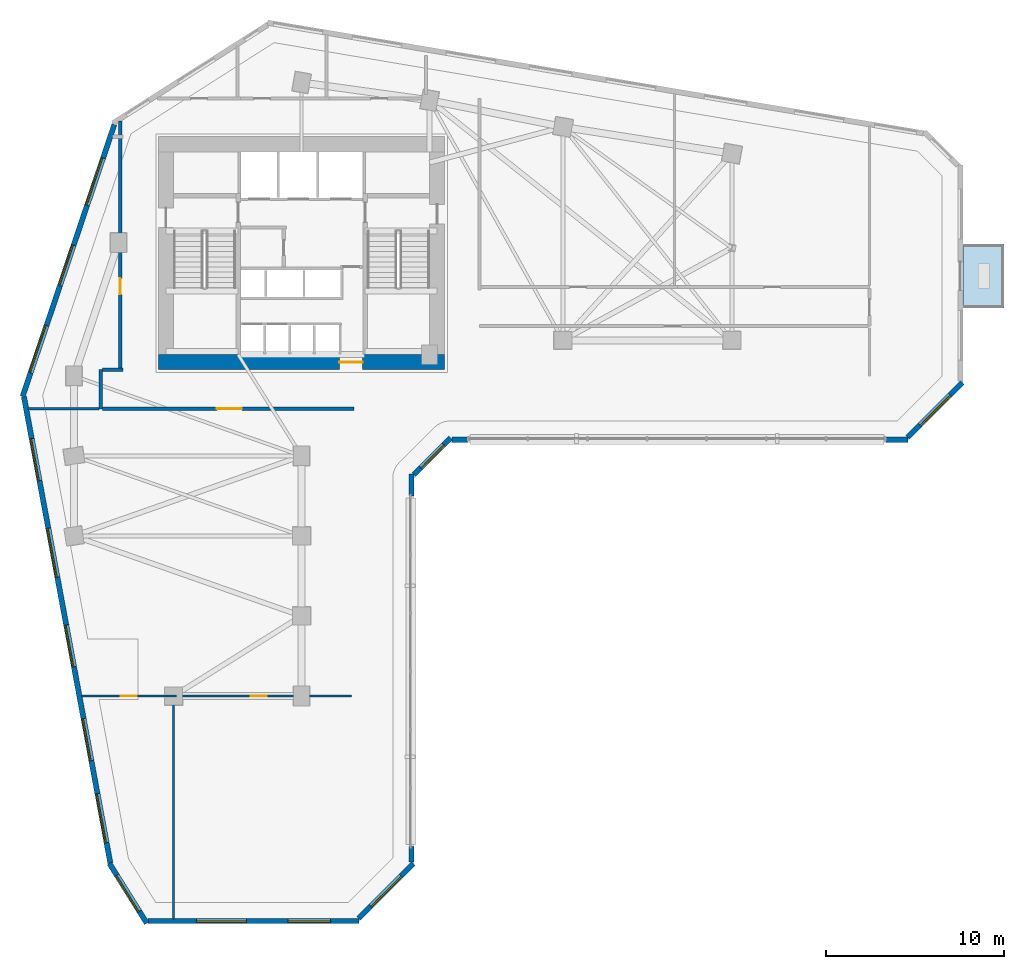
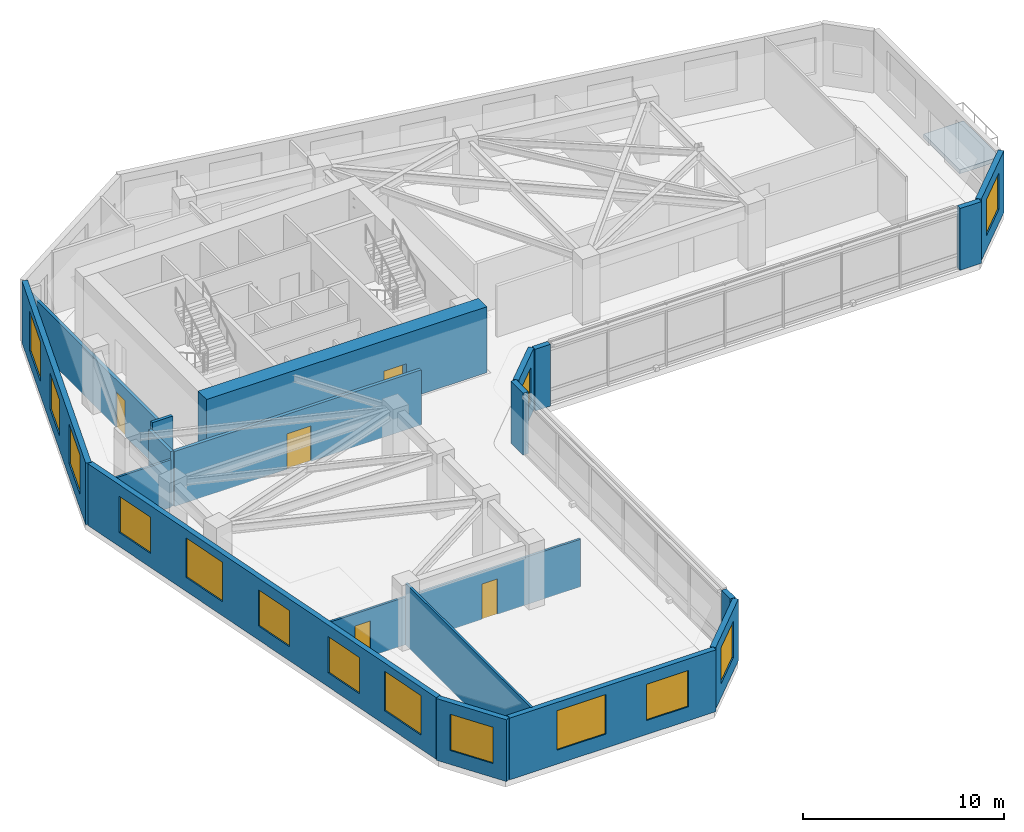
# One storey, part 5 of 11: 20 walls, 14 windows, 5 doors, 1 slab, 19 openings.
"""IFC4 building model written with IfcOpenShell, lengths in metres."""

from ifc_helpers import new_model, si_unit, direction, frame, frame_2d, origin, place, context, subcontext, project, spatial, polyline, rectangle, outline, extrude, source, transform, mapped, material, layer, layer_set, type_object, element, fill, save


model = new_model("IFC4")

# Units and contexts
model_context = context("Model", 3, precision=1e-05, world=origin(), true_north=direction((0.0, 1.0)))
body_context = subcontext(model_context, "Body", "Model", "MODEL_VIEW")
ifc_project = project(units=[si_unit("LENGTHUNIT", "METRE"), si_unit("AREAUNIT", "SQUARE_METRE"), si_unit("VOLUMEUNIT", "CUBIC_METRE"), si_unit("PLANEANGLEUNIT", "RADIAN"), si_unit("MASSUNIT", "GRAM", prefix="KILO")], contexts=[model_context])

# Site, building, storey
site_placement = place(None, origin())
site = spatial("IfcSite", under=ifc_project, at=site_placement, CompositionType="ELEMENT")
building_placement = place(site_placement, origin())
building = spatial("IfcBuilding", under=site, at=building_placement, Name="Calvemar Wedge Station Tower", CompositionType="ELEMENT")
storey_placement = place(building_placement, frame((0.0, 0.0, 27.0)))
storey = spatial("IfcBuildingStorey", under=building, at=storey_placement, Name="L06", CompositionType="ELEMENT", Elevation=27.0)

# Slab
ifc_material_1 = material(Name="Concrete C45", Category="concrete")
ifc_layer_1 = layer(ifc_material_1, 0.239990234375)
ifc_layer_set_1 = layer_set([ifc_layer_1], Name="Concrete C45")
slab_type = type_object("IfcSlabType", Name="SL-TERR-240", PredefinedType="FLOOR", material=ifc_layer_set_1)
slab_placement = place(storey_placement, frame((0.0, 0.0, -0.239990234375)))
element("IfcSlab", 1, at=slab_placement, inside=storey, type_object=slab_type, Name="Storey L06 Planted Spiral Terrace Slab", PredefinedType="FLOOR", context=body_context, shape_type="SweptSolid", body=[
    extrude(outline(polyline([(61.0, 36.81005859375), (63.300048828125, 36.81005859375), (63.300048828125, 40.409912109375), (61.0, 40.409912109375), (61.0, 36.81005859375)])), origin(), (0.0, 0.0, 1.0), 0.239990234375),
])

# Wall, opening, door
ifc_material_2 = material(Name="Concrete C80", Category="concrete")
ifc_layer_2 = layer(ifc_material_2, 0.85009765625)
ifc_layer_set_2 = layer_set([ifc_layer_2], Name="Concrete C80")
wall_type_1 = type_object("IfcWallType", Name="SW-CORE-850", PredefinedType="SHEAR", material=ifc_layer_set_2)
wall_1_placement = place(storey_placement, frame((15.75, 33.77490234375, 0.0), z_axis=(0.0, 0.0, 1.0), x_axis=(1.0, 0.0, 0.0)))
wall_1 = element("IfcWall", 2, at=wall_1_placement, inside=storey, type_object=wall_type_1, Name="Storey L06 Core Shear Wall S", PredefinedType="SHEAR", context=body_context, shape_type="SweptSolid", body=[
    extrude(rectangle(XDim=16.10009765625, YDim=0.85009765625, at=frame_2d((8.050048828125, 0.0))), origin(), (0.0, 0.0, 1.0), 4.0),
])
shared_shape_1 = source(origin(), body_context, "Body", "SweptSolid", [
    extrude(rectangle(XDim=1.300048828125, YDim=2.14990234375, at=frame_2d((0.64990234375, 1.074951171875))), frame((0.0, 0.43505859375, 0.0), z_axis=(0.0, -1.0, 0.0), x_axis=(1.0, 0.0, 0.0)), (0.0, 0.0, 1.0), 0.8701171875),
])
opening_1_placement = place(wall_1_placement, frame((10.179931640625, 0.0, 0.0)))
opening_1 = element("IfcOpeningElement", 3, at=opening_1_placement, cuts=wall_1, Name="Opening DD-130", PredefinedType="OPENING", context=body_context, shape_type="MappedRepresentation", body=[
    mapped(shared_shape_1, transform((0.0, 0.0, 0.0), scale=1.0)),
])
ifc_material_3 = material(Name="Double-leaf lift lobby fire door EI 60")
door_type_1 = type_object("IfcDoorType", Name="DR-DBL-1300", OperationType="DOUBLE_DOOR_SINGLE_SWING", PredefinedType="DOOR", material=ifc_material_3)
shared_shape_2 = source(origin(), body_context, "Body", "SweptSolid", [
    extrude(rectangle(XDim=1.300048828125, YDim=2.14990234375, at=frame_2d((0.64990234375, 1.074951171875))), frame((0.0, 0.02490234375, 0.0), z_axis=(0.0, -1.0, 0.0), x_axis=(1.0, 0.0, 0.0)), (0.0, 0.0, 1.0), 0.050048828125),
])
door_1_placement = place(opening_1_placement, origin())
door_1 = element("IfcDoor", 4, at=door_1_placement, inside=storey, type_object=door_type_1, Name="L06 Passenger Lift Lobby Door", OperationType="DOUBLE_DOOR_SINGLE_SWING", OverallHeight=2.14990234375, OverallWidth=1.300048828125, PredefinedType="DOOR", context=body_context, shape_type="MappedRepresentation", body=[
    mapped(shared_shape_2, transform((0.0, 0.0, 0.0), scale=1.0)),
])
fill(opening_1, door_1)

# Walls
ifc_material_4 = material(Name="Double-stud fire-rated corridor partition")
ifc_layer_3 = layer(ifc_material_4, 0.179931640625)
ifc_layer_set_3 = layer_set([ifc_layer_3], Name="Double-stud fire-rated corridor partition")
wall_type_2 = type_object("IfcWallType", Name="W-CORR-180", PredefinedType="PARTITIONING", material=ifc_layer_set_3)
wall_2_placement = place(storey_placement, frame((12.5, 31.14990234375, 0.0), z_axis=(0.0, 0.0, 1.0), x_axis=(0.0, 1.0, 0.0)))
element("IfcWall", 5, at=wall_2_placement, inside=storey, type_object=wall_type_2, Name="Storey L06 Interior Partition WL-L06-004", PredefinedType="PARTITIONING", context=body_context, shape_type="SweptSolid", body=[
    extrude(rectangle(XDim=2.2001953125, YDim=0.179931640625, at=frame_2d((1.10009765625, 0.0))), origin(), (0.0, 0.0, 1.0), 3.3349609375),
])
wall_3_placement = place(storey_placement, frame((12.593994140625, 33.35009765625, 0.0), z_axis=(0.0, 0.0, 1.0), x_axis=(1.0, 0.0, 0.0)))
element("IfcWall", 6, at=wall_3_placement, inside=storey, type_object=wall_type_2, Name="Storey L06 Interior Partition WL-L06-005", PredefinedType="PARTITIONING", context=body_context, shape_type="SweptSolid", body=[
    extrude(rectangle(XDim=1.166015625, YDim=0.179931640625, at=frame_2d((0.5830078125, 0.0))), origin(), (0.0, 0.0, 1.0), 3.75),
])

# Wall, opening, door
wall_4_placement = place(storey_placement, frame((26.760009765625, 31.14990234375, 0.0), z_axis=(0.0, 0.0, 1.0), x_axis=(-1.0, 0.0, 0.0)))
wall_4 = element("IfcWall", 7, at=wall_4_placement, inside=storey, type_object=wall_type_2, Name="Storey L06 Interior Partition WL-L06-006", PredefinedType="PARTITIONING", context=body_context, shape_type="SweptSolid", body=[
    extrude(rectangle(XDim=14.166015625, YDim=0.179931640625, at=frame_2d((7.0830078125, 0.0))), origin(), (0.0, 0.0, 1.0), 3.3349609375),
])
shared_shape_3 = source(origin(), body_context, "Body", "SweptSolid", [
    extrude(rectangle(XDim=1.39990234375, YDim=2.14990234375, at=frame_2d((0.699951171875, 1.074951171875))), frame((0.0, 0.10009765625, 0.0), z_axis=(0.0, -1.0, 0.0), x_axis=(1.0, 0.0, 0.0)), (0.0, 0.0, 1.0), 0.199951171875),
])
opening_2_placement = place(wall_4_placement, frame((6.322509765625, 0.0, 0.0)))
opening_2 = element("IfcOpeningElement", 8, at=opening_2_placement, cuts=wall_4, Name="Opening DD-140", PredefinedType="OPENING", context=body_context, shape_type="MappedRepresentation", body=[
    mapped(shared_shape_3, transform((0.0, 0.0, 0.0), scale=1.0)),
])
ifc_material_5 = material(Name="Double-leaf corridor acoustic fire door EI 60")
door_type_2 = type_object("IfcDoorType", Name="DR-DBL-1400", OperationType="DOUBLE_DOOR_SINGLE_SWING", PredefinedType="DOOR", material=ifc_material_5)
shared_shape_4 = source(origin(), body_context, "Body", "SweptSolid", [
    extrude(rectangle(XDim=1.39990234375, YDim=2.14990234375, at=frame_2d((0.699951171875, 1.074951171875))), frame((0.0, 0.02490234375, 0.0), z_axis=(0.0, -1.0, 0.0), x_axis=(1.0, 0.0, 0.0)), (0.0, 0.0, 1.0), 0.050048828125),
])
door_2_placement = place(opening_2_placement, origin())
door_2 = element("IfcDoor", 9, at=door_2_placement, inside=storey, type_object=door_type_2, Name="L06 Co-Working Studio Door", OperationType="SINGLE_SWING_LEFT", OverallHeight=2.14990234375, OverallWidth=1.39990234375, PredefinedType="DOOR", context=body_context, shape_type="MappedRepresentation", body=[
    mapped(shared_shape_4, transform((0.0, 0.0, 0.0), scale=1.0)),
])
fill(opening_2, door_2)

wall_5_placement = place(storey_placement, frame((13.60009765625, 33.444091796875, 0.0), z_axis=(0.0, 0.0, 1.0), x_axis=(0.0, 1.0, 0.0)))
wall_5 = element("IfcWall", 10, at=wall_5_placement, inside=storey, type_object=wall_type_2, Name="Storey L06 Interior Partition WL-L06-007", PredefinedType="PARTITIONING", context=body_context, shape_type="SweptSolid", body=[
    extrude(rectangle(XDim=13.896240234375, YDim=0.179931640625, at=frame_2d((6.9482421875, 0.0))), origin(), (0.0, 0.0, 1.0), 2.89208984375),
])
shared_shape_5 = source(origin(), body_context, "Body", "SweptSolid", [
    extrude(rectangle(XDim=0.89990234375, YDim=2.14990234375, at=frame_2d((0.449951171875, 1.074951171875))), frame((0.0, 0.10009765625, 0.0), z_axis=(0.0, -1.0, 0.0), x_axis=(1.0, 0.0, 0.0)), (0.0, 0.0, 1.0), 0.199951171875),
])
opening_3_placement = place(wall_5_placement, frame((4.143798828125, 0.0, 0.0)))
opening_3 = element("IfcOpeningElement", 11, at=opening_3_placement, cuts=wall_5, Name="Opening D-01", PredefinedType="OPENING", context=body_context, shape_type="MappedRepresentation", body=[
    mapped(shared_shape_5, transform((0.0, 0.0, 0.0), scale=1.0)),
])
ifc_material_6 = material(Name="Architectural hardwood acoustic swing door", Category="wood")
door_type_3 = type_object("IfcDoorType", Name="DR-INT-900", OperationType="NOTDEFINED", PredefinedType="DOOR", material=ifc_material_6)
shared_shape_6 = source(origin(), body_context, "Body", "SweptSolid", [
    extrude(rectangle(XDim=0.89990234375, YDim=2.14990234375, at=frame_2d((0.449951171875, 1.074951171875))), frame((0.0, 0.02490234375, 0.0), z_axis=(0.0, -1.0, 0.0), x_axis=(1.0, 0.0, 0.0)), (0.0, 0.0, 1.0), 0.050048828125),
])
door_3_placement = place(opening_3_placement, origin())
door_3 = element("IfcDoor", 12, at=door_3_placement, inside=storey, type_object=door_type_3, Name="L06 Co-Working Studio Door", OperationType="SINGLE_SWING_LEFT", OverallHeight=2.14990234375, OverallWidth=0.89990234375, PredefinedType="DOOR", context=body_context, shape_type="MappedRepresentation", body=[
    mapped(shared_shape_6, transform((0.0, 0.0, 0.0), scale=1.0)),
])
fill(opening_3, door_3)

# Wall, opening, window
ifc_material_7 = material(Name="Precast concrete C45", Category="concrete")
ifc_layer_4 = layer(ifc_material_7, 0.300048828125)
ifc_layer_set_4 = layer_set([ifc_layer_4], Name="Precast concrete C45")
wall_type_3 = type_object("IfcWallType", Name="W-EXT-GFRC-300", PredefinedType="SOLIDWALL", material=ifc_layer_set_4)
wall_6_placement = place(storey_placement, frame((12.99072265625, 5.58251953125, 0.0), z_axis=(0.0, 0.0, 1.0), x_axis=(0.530015557218, -0.847987918019, 0.0)))
wall_6 = element("IfcWall", 13, at=wall_6_placement, inside=storey, type_object=wall_type_3, Name="Storey L06 Bronze GFRC Exterior Wall 1", PredefinedType="SOLIDWALL", context=body_context, shape_type="SweptSolid", body=[
    extrude(rectangle(XDim=3.9619140625, YDim=0.300048828125, at=frame_2d((1.98095703125, 0.0))), origin(), (0.0, 0.0, 1.0), 3.75),
])
shared_shape_7 = source(origin(), body_context, "Body", "SweptSolid", [
    extrude(rectangle(XDim=2.39990234375, YDim=2.199951171875, at=frame_2d((1.199951171875, 1.10009765625))), frame((0.0, 0.16015625, 0.0), z_axis=(0.0, -1.0, 0.0), x_axis=(1.0, 0.0, 0.0)), (0.0, 0.0, 1.0), 0.320068359375),
])
opening_4_placement = place(wall_6_placement, frame((0.781005859375, 0.0, 0.85009765625)))
opening_4 = element("IfcOpeningElement", 14, at=opening_4_placement, cuts=wall_6, Name="Opening W1", PredefinedType="OPENING", context=body_context, shape_type="MappedRepresentation", body=[
    mapped(shared_shape_7, transform((0.0, 0.0, 0.0), scale=1.0)),
])
ifc_material_8 = material(Name="Low-E laminated insulated glass", Category="glass")
window_type_1 = type_object("IfcWindowType", Name="WIN-EXT-1", PartitioningType="SINGLE_PANEL", PredefinedType="WINDOW", material=ifc_material_8)
shared_shape_8 = source(origin(), body_context, "Body", "SweptSolid", [
    extrude(rectangle(XDim=2.39990234375, YDim=2.199951171875, at=frame_2d((1.199951171875, 1.10009765625))), frame((0.0, -0.014892578125, 0.0), z_axis=(0.0, -1.0, 0.0), x_axis=(1.0, 0.0, 0.0)), (0.0, 0.0, 1.0), 0.06005859375),
])
window_1_placement = place(opening_4_placement, origin())
window_1 = element("IfcWindow", 15, at=window_1_placement, inside=storey, type_object=window_type_1, Name="Storey L06 Recessed Window 1.1", OverallHeight=2.199951171875, OverallWidth=2.39990234375, PartitioningType="SINGLE_PANEL", PredefinedType="WINDOW", context=body_context, shape_type="MappedRepresentation", body=[
    mapped(shared_shape_8, transform((0.0, 0.0, 0.0), scale=1.0)),
])
fill(opening_4, window_1)

# Wall, openings, windows
wall_7_placement = place(storey_placement, frame((15.173828125, 2.35009765625, 0.0), z_axis=(0.0, 0.0, 1.0), x_axis=(1.0, 0.0, 0.0)))
wall_7 = element("IfcWall", 16, at=wall_7_placement, inside=storey, type_object=wall_type_3, Name="Storey L06 Bronze GFRC Exterior Wall 2", PredefinedType="SOLIDWALL", context=body_context, shape_type="SweptSolid", body=[
    extrude(rectangle(XDim=11.842041015625, YDim=0.300048828125, at=frame_2d((5.9208984375, 0.0))), origin(), (0.0, 0.0, 1.0), 3.75),
])
shared_shape_9 = source(origin(), body_context, "Body", "SweptSolid", [
    extrude(rectangle(XDim=2.800048828125, YDim=2.39990234375, at=frame_2d((1.39990234375, 1.199951171875))), frame((0.0, 0.16015625, 0.0), z_axis=(0.0, -1.0, 0.0), x_axis=(1.0, 0.0, 0.0)), (0.0, 0.0, 1.0), 0.320068359375),
])
opening_5_placement = place(wall_7_placement, frame((2.715087890625, 0.0, 0.85009765625)))
opening_5 = element("IfcOpeningElement", 17, at=opening_5_placement, cuts=wall_7, Name="Opening W6", PredefinedType="OPENING", context=body_context, shape_type="MappedRepresentation", body=[
    mapped(shared_shape_9, transform((0.0, 0.0, 0.0), scale=1.0)),
])
opening_6_placement = place(wall_7_placement, frame((7.85302734375, 0.0, 0.85009765625)))
opening_6 = element("IfcOpeningElement", 18, at=opening_6_placement, cuts=wall_7, Name="Opening W1", PredefinedType="OPENING", context=body_context, shape_type="MappedRepresentation", body=[
    mapped(shared_shape_7, transform((0.0, 0.0, 0.0), scale=1.0)),
])
window_type_2 = type_object("IfcWindowType", Name="WIN-EXT-6", PartitioningType="SINGLE_PANEL", PredefinedType="WINDOW", material=ifc_material_8)
shared_shape_10 = source(origin(), body_context, "Body", "SweptSolid", [
    extrude(rectangle(XDim=2.800048828125, YDim=2.39990234375, at=frame_2d((1.39990234375, 1.199951171875))), frame((0.0, -0.014892578125, 0.0), z_axis=(0.0, -1.0, 0.0), x_axis=(1.0, 0.0, 0.0)), (0.0, 0.0, 1.0), 0.06005859375),
])
window_2_placement = place(opening_5_placement, origin())
window_2 = element("IfcWindow", 19, at=window_2_placement, inside=storey, type_object=window_type_2, Name="Storey L06 Recessed Window 2.1", OverallHeight=2.39990234375, OverallWidth=2.800048828125, PartitioningType="SINGLE_PANEL", PredefinedType="WINDOW", context=body_context, shape_type="MappedRepresentation", body=[
    mapped(shared_shape_10, transform((0.0, 0.0, 0.0), scale=1.0)),
])
fill(opening_5, window_2)
window_3_placement = place(opening_6_placement, origin())
window_3 = element("IfcWindow", 20, at=window_3_placement, inside=storey, type_object=window_type_1, Name="Storey L06 Recessed Window 2.2", OverallHeight=2.199951171875, OverallWidth=2.39990234375, PartitioningType="SINGLE_PANEL", PredefinedType="WINDOW", context=body_context, shape_type="MappedRepresentation", body=[
    mapped(shared_shape_8, transform((0.0, 0.0, 0.0), scale=1.0)),
])
fill(opening_6, window_3)

# Wall, opening, window
wall_8_placement = place(storey_placement, frame((27.00390625, 2.488037109375, 0.0), z_axis=(0.0, 0.0, 1.0), x_axis=(0.707106781187, 0.707106781187, 0.0)))
wall_8 = element("IfcWall", 21, at=wall_8_placement, inside=storey, type_object=wall_type_3, Name="Storey L06 Bronze GFRC Exterior Wall 3", PredefinedType="SOLIDWALL", context=body_context, shape_type="SweptSolid", body=[
    extrude(rectangle(XDim=4.35595703125, YDim=0.300048828125, at=frame_2d((2.177978515625, 0.0))), origin(), (0.0, 0.0, 1.0), 3.75),
])
opening_7_placement = place(wall_8_placement, frame((0.97802734375, 0.0, 0.85009765625)))
opening_7 = element("IfcOpeningElement", 22, at=opening_7_placement, cuts=wall_8, Name="Opening W1", PredefinedType="OPENING", context=body_context, shape_type="MappedRepresentation", body=[
    mapped(shared_shape_7, transform((0.0, 0.0, 0.0), scale=1.0)),
])
window_4_placement = place(opening_7_placement, origin())
window_4 = element("IfcWindow", 23, at=window_4_placement, inside=storey, type_object=window_type_1, Name="Storey L06 Recessed Window 3.1", OverallHeight=2.199951171875, OverallWidth=2.39990234375, PartitioningType="SINGLE_PANEL", PredefinedType="WINDOW", context=body_context, shape_type="MappedRepresentation", body=[
    mapped(shared_shape_8, transform((0.0, 0.0, 0.0), scale=1.0)),
])
fill(opening_7, window_4)

# Walls
wall_9_placement = place(storey_placement, frame((29.97802734375, 5.6572265625, 0.0), z_axis=(0.0, 0.0, 1.0), x_axis=(0.0, 1.0, 0.0)))
element("IfcWall", 24, at=wall_9_placement, inside=storey, type_object=wall_type_3, Name="Storey L06 Bronze GFRC Corner Pier 4A", PredefinedType="SOLIDWALL", context=body_context, shape_type="SweptSolid", body=[
    extrude(rectangle(XDim=0.8798828125, YDim=0.300048828125, at=frame_2d((0.43994140625, 0.0))), origin(), (0.0, 0.0, 1.0), 3.75),
])
wall_10_placement = place(storey_placement, frame((29.97802734375, 26.2470703125, 0.0), z_axis=(0.0, 0.0, 1.0), x_axis=(0.0, 1.0, 0.0)))
element("IfcWall", 25, at=wall_10_placement, inside=storey, type_object=wall_type_3, Name="Storey L06 Bronze GFRC Corner Pier 4B", PredefinedType="SOLIDWALL", context=body_context, shape_type="SweptSolid", body=[
    extrude(rectangle(XDim=1.22509765625, YDim=0.300048828125, at=frame_2d((0.612548828125, 0.0))), origin(), (0.0, 0.0, 1.0), 3.75),
])

# Wall, opening, window
wall_11_placement = place(storey_placement, frame((30.115966796875, 27.460205078125, 0.0), z_axis=(0.0, 0.0, 1.0), x_axis=(0.707106781187, 0.707106781187, 0.0)))
wall_11 = element("IfcWall", 26, at=wall_11_placement, inside=storey, type_object=wall_type_3, Name="Storey L06 Bronze GFRC Exterior Wall 5", PredefinedType="SOLIDWALL", context=body_context, shape_type="SweptSolid", body=[
    extrude(rectangle(XDim=2.907470703125, YDim=0.300048828125, at=frame_2d((1.45361328125, 0.0))), origin(), (0.0, 0.0, 1.0), 3.75),
])
shared_shape_11 = source(origin(), body_context, "Body", "SweptSolid", [
    extrude(rectangle(XDim=1.800048828125, YDim=2.10009765625, at=frame_2d((0.89990234375, 1.050048828125))), frame((0.0, 0.16015625, 0.0), z_axis=(0.0, -1.0, 0.0), x_axis=(1.0, 0.0, 0.0)), (0.0, 0.0, 1.0), 0.320068359375),
])
opening_8_placement = place(wall_11_placement, frame((0.553955078125, 0.0, 0.85009765625)))
opening_8 = element("IfcOpeningElement", 27, at=opening_8_placement, cuts=wall_11, Name="Opening W2", PredefinedType="OPENING", context=body_context, shape_type="MappedRepresentation", body=[
    mapped(shared_shape_11, transform((0.0, 0.0, 0.0), scale=1.0)),
])
window_type_3 = type_object("IfcWindowType", Name="WIN-EXT-2", PartitioningType="SINGLE_PANEL", PredefinedType="WINDOW", material=ifc_material_8)
shared_shape_12 = source(origin(), body_context, "Body", "SweptSolid", [
    extrude(rectangle(XDim=1.800048828125, YDim=2.10009765625, at=frame_2d((0.89990234375, 1.050048828125))), frame((0.0, -0.014892578125, 0.0), z_axis=(0.0, -1.0, 0.0), x_axis=(1.0, 0.0, 0.0)), (0.0, 0.0, 1.0), 0.06005859375),
])
window_5_placement = place(opening_8_placement, origin())
window_5 = element("IfcWindow", 28, at=window_5_placement, inside=storey, type_object=window_type_3, Name="Storey L06 Recessed Window 5.1", OverallHeight=2.10009765625, OverallWidth=1.800048828125, PartitioningType="SINGLE_PANEL", PredefinedType="WINDOW", context=body_context, shape_type="MappedRepresentation", body=[
    mapped(shared_shape_12, transform((0.0, 0.0, 0.0), scale=1.0)),
])
fill(opening_8, window_5)

# Walls
wall_12_placement = place(storey_placement, frame((32.260986328125, 29.409912109375, 0.0), z_axis=(0.0, 0.0, 1.0), x_axis=(1.0, 0.0, 0.0)))
element("IfcWall", 29, at=wall_12_placement, inside=storey, type_object=wall_type_3, Name="Storey L06 Bronze GFRC Corner Pier 6A", PredefinedType="SOLIDWALL", context=body_context, shape_type="SweptSolid", body=[
    extrude(rectangle(XDim=0.8798828125, YDim=0.300048828125, at=frame_2d((0.43994140625, 0.0))), origin(), (0.0, 0.0, 1.0), 3.75),
])
wall_13_placement = place(storey_placement, frame((56.662841796875, 29.409912109375, 0.0), z_axis=(0.0, 0.0, 1.0), x_axis=(1.0, 0.0, 0.0)))
element("IfcWall", 30, at=wall_13_placement, inside=storey, type_object=wall_type_3, Name="Storey L06 Bronze GFRC Corner Pier 6B", PredefinedType="SOLIDWALL", context=body_context, shape_type="SweptSolid", body=[
    extrude(rectangle(XDim=1.22509765625, YDim=0.300048828125, at=frame_2d((0.612548828125, 0.0))), origin(), (0.0, 0.0, 1.0), 3.75),
])

# Wall, opening, window
wall_14_placement = place(storey_placement, frame((57.8759765625, 29.548095703125, 0.0), z_axis=(0.0, 0.0, 1.0), x_axis=(0.707106781187, 0.707106781187, 0.0)))
wall_14 = element("IfcWall", 31, at=wall_14_placement, inside=storey, type_object=wall_type_3, Name="Storey L06 Bronze GFRC Exterior Wall 7", PredefinedType="SOLIDWALL", context=body_context, shape_type="SweptSolid", body=[
    extrude(rectangle(XDim=4.35595703125, YDim=0.300048828125, at=frame_2d((2.177978515625, 0.0))), origin(), (0.0, 0.0, 1.0), 3.75),
])
opening_9_placement = place(wall_14_placement, frame((0.97802734375, 0.0, 0.85009765625)))
opening_9 = element("IfcOpeningElement", 32, at=opening_9_placement, cuts=wall_14, Name="Opening W1", PredefinedType="OPENING", context=body_context, shape_type="MappedRepresentation", body=[
    mapped(shared_shape_7, transform((0.0, 0.0, 0.0), scale=1.0)),
])
window_6_placement = place(opening_9_placement, origin())
window_6 = element("IfcWindow", 33, at=window_6_placement, inside=storey, type_object=window_type_1, Name="Storey L06 Recessed Window 7.1", OverallHeight=2.199951171875, OverallWidth=2.39990234375, PartitioningType="SINGLE_PANEL", PredefinedType="WINDOW", context=body_context, shape_type="MappedRepresentation", body=[
    mapped(shared_shape_8, transform((0.0, 0.0, 0.0), scale=1.0)),
])
fill(opening_9, window_6)

# Wall, openings, windows
wall_15_placement = place(storey_placement, frame((13.2685546875, 47.1337890625, 0.0), z_axis=(0.0, 0.0, 1.0), x_axis=(-0.319920423265, -0.947444416722, 0.0)))
wall_15 = element("IfcWall", 34, at=wall_15_placement, inside=storey, type_object=wall_type_3, Name="Storey L06 Bronze GFRC Exterior Wall 12", PredefinedType="SOLIDWALL", context=body_context, shape_type="SweptSolid", body=[
    extrude(rectangle(XDim=16.134765625, YDim=0.300048828125, at=frame_2d((8.0673828125, 0.0))), origin(), (0.0, 0.0, 1.0), 3.75),
])
opening_10_placement = place(wall_15_placement, frame((1.988037109375, 0.0, 0.85009765625)))
opening_10 = element("IfcOpeningElement", 35, at=opening_10_placement, cuts=wall_15, Name="Opening W6", PredefinedType="OPENING", context=body_context, shape_type="MappedRepresentation", body=[
    mapped(shared_shape_9, transform((0.0, 0.0, 0.0), scale=1.0)),
])
opening_11_placement = place(wall_15_placement, frame((7.158935546875, 0.0, 0.85009765625)))
opening_11 = element("IfcOpeningElement", 36, at=opening_11_placement, cuts=wall_15, Name="Opening W1", PredefinedType="OPENING", context=body_context, shape_type="MappedRepresentation", body=[
    mapped(shared_shape_7, transform((0.0, 0.0, 0.0), scale=1.0)),
])
opening_12_placement = place(wall_15_placement, frame((11.929931640625, 0.0, 0.85009765625)))
opening_12 = element("IfcOpeningElement", 37, at=opening_12_placement, cuts=wall_15, Name="Opening W6", PredefinedType="OPENING", context=body_context, shape_type="MappedRepresentation", body=[
    mapped(shared_shape_9, transform((0.0, 0.0, 0.0), scale=1.0)),
])
window_7_placement = place(opening_10_placement, origin())
window_7 = element("IfcWindow", 38, at=window_7_placement, inside=storey, type_object=window_type_2, Name="Storey L06 Recessed Window 12.1", OverallHeight=2.39990234375, OverallWidth=2.800048828125, PartitioningType="SINGLE_PANEL", PredefinedType="WINDOW", context=body_context, shape_type="MappedRepresentation", body=[
    mapped(shared_shape_10, transform((0.0, 0.0, 0.0), scale=1.0)),
])
fill(opening_10, window_7)
window_8_placement = place(opening_12_placement, origin())
window_8 = element("IfcWindow", 39, at=window_8_placement, inside=storey, type_object=window_type_2, Name="Storey L06 Recessed Window 12.3", OverallHeight=2.39990234375, OverallWidth=2.800048828125, PartitioningType="SINGLE_PANEL", PredefinedType="WINDOW", context=body_context, shape_type="MappedRepresentation", body=[
    mapped(shared_shape_10, transform((0.0, 0.0, 0.0), scale=1.0)),
])
fill(opening_12, window_8)
window_9_placement = place(opening_11_placement, origin())
window_9 = element("IfcWindow", 40, at=window_9_placement, inside=storey, type_object=window_type_1, Name="Storey L06 Recessed Window 12.2", OverallHeight=2.199951171875, OverallWidth=2.39990234375, PartitioningType="SINGLE_PANEL", PredefinedType="WINDOW", context=body_context, shape_type="MappedRepresentation", body=[
    mapped(shared_shape_8, transform((0.0, 0.0, 0.0), scale=1.0)),
])
fill(opening_11, window_9)

wall_16_placement = place(storey_placement, frame((8.183349609375, 31.83349609375, 0.0), z_axis=(0.0, 0.0, 1.0), x_axis=(0.18216364648, -0.983268226834, 0.0)))
wall_16 = element("IfcWall", 41, at=wall_16_placement, inside=storey, type_object=wall_type_3, Name="Storey L06 Bronze GFRC Exterior Wall 13", PredefinedType="SOLIDWALL", context=body_context, shape_type="SweptSolid", body=[
    extrude(rectangle(XDim=26.678466796875, YDim=0.300048828125, at=frame_2d((13.33935546875, 0.0))), origin(), (0.0, 0.0, 1.0), 3.75),
])
opening_13_placement = place(wall_16_placement, frame((2.40087890625, 0.0, 0.85009765625)))
opening_13 = element("IfcOpeningElement", 42, at=opening_13_placement, cuts=wall_16, Name="Opening W1", PredefinedType="OPENING", context=body_context, shape_type="MappedRepresentation", body=[
    mapped(shared_shape_7, transform((0.0, 0.0, 0.0), scale=1.0)),
])
opening_14_placement = place(wall_16_placement, frame((7.529052734375, 0.0, 0.85009765625)))
opening_14 = element("IfcOpeningElement", 43, at=opening_14_placement, cuts=wall_16, Name="Opening W6", PredefinedType="OPENING", context=body_context, shape_type="MappedRepresentation", body=[
    mapped(shared_shape_9, transform((0.0, 0.0, 0.0), scale=1.0)),
])
opening_15_placement = place(wall_16_placement, frame((13.056884765625, 0.0, 0.85009765625)))
opening_15 = element("IfcOpeningElement", 44, at=opening_15_placement, cuts=wall_16, Name="Opening W1", PredefinedType="OPENING", context=body_context, shape_type="MappedRepresentation", body=[
    mapped(shared_shape_7, transform((0.0, 0.0, 0.0), scale=1.0)),
])
opening_16_placement = place(wall_16_placement, frame((18.410888671875, 0.0, 0.85009765625)))
opening_16 = element("IfcOpeningElement", 45, at=opening_16_placement, cuts=wall_16, Name="Opening W1", PredefinedType="OPENING", context=body_context, shape_type="MappedRepresentation", body=[
    mapped(shared_shape_7, transform((0.0, 0.0, 0.0), scale=1.0)),
])
opening_17_placement = place(wall_16_placement, frame((22.708984375, 0.0, 0.85009765625)))
opening_17 = element("IfcOpeningElement", 46, at=opening_17_placement, cuts=wall_16, Name="Opening W6", PredefinedType="OPENING", context=body_context, shape_type="MappedRepresentation", body=[
    mapped(shared_shape_9, transform((0.0, 0.0, 0.0), scale=1.0)),
])
window_10_placement = place(opening_14_placement, origin())
window_10 = element("IfcWindow", 47, at=window_10_placement, inside=storey, type_object=window_type_2, Name="Storey L06 Recessed Window 13.2", OverallHeight=2.39990234375, OverallWidth=2.800048828125, PartitioningType="SINGLE_PANEL", PredefinedType="WINDOW", context=body_context, shape_type="MappedRepresentation", body=[
    mapped(shared_shape_10, transform((0.0, 0.0, 0.0), scale=1.0)),
])
fill(opening_14, window_10)
window_11_placement = place(opening_17_placement, origin())
window_11 = element("IfcWindow", 48, at=window_11_placement, inside=storey, type_object=window_type_2, Name="Storey L06 Recessed Window 13.5", OverallHeight=2.39990234375, OverallWidth=2.800048828125, PartitioningType="SINGLE_PANEL", PredefinedType="WINDOW", context=body_context, shape_type="MappedRepresentation", body=[
    mapped(shared_shape_10, transform((0.0, 0.0, 0.0), scale=1.0)),
])
fill(opening_17, window_11)
window_12_placement = place(opening_13_placement, origin())
window_12 = element("IfcWindow", 49, at=window_12_placement, inside=storey, type_object=window_type_1, Name="Storey L06 Recessed Window 13.1", OverallHeight=2.199951171875, OverallWidth=2.39990234375, PartitioningType="SINGLE_PANEL", PredefinedType="WINDOW", context=body_context, shape_type="MappedRepresentation", body=[
    mapped(shared_shape_8, transform((0.0, 0.0, 0.0), scale=1.0)),
])
fill(opening_13, window_12)
window_13_placement = place(opening_15_placement, origin())
window_13 = element("IfcWindow", 50, at=window_13_placement, inside=storey, type_object=window_type_1, Name="Storey L06 Recessed Window 13.3", OverallHeight=2.199951171875, OverallWidth=2.39990234375, PartitioningType="SINGLE_PANEL", PredefinedType="WINDOW", context=body_context, shape_type="MappedRepresentation", body=[
    mapped(shared_shape_8, transform((0.0, 0.0, 0.0), scale=1.0)),
])
fill(opening_15, window_13)
window_14_placement = place(opening_16_placement, origin())
window_14 = element("IfcWindow", 51, at=window_14_placement, inside=storey, type_object=window_type_1, Name="Storey L06 Recessed Window 13.4", OverallHeight=2.199951171875, OverallWidth=2.39990234375, PartitioningType="SINGLE_PANEL", PredefinedType="WINDOW", context=body_context, shape_type="MappedRepresentation", body=[
    mapped(shared_shape_8, transform((0.0, 0.0, 0.0), scale=1.0)),
])
fill(opening_16, window_14)

# Wall
ifc_material_9 = material(Name="Insulated acoustic gypsum stud partition")
ifc_layer_5 = layer(ifc_material_9, 0.125)
ifc_layer_set_5 = layer_set([ifc_layer_5], Name="Insulated acoustic gypsum stud partition")
wall_type_4 = type_object("IfcWallType", Name="W-PART-125", PredefinedType="PARTITIONING", material=ifc_layer_set_5)
wall_17_placement = place(storey_placement, frame((12.406005859375, 31.14990234375, 0.0), z_axis=(0.0, 0.0, 1.0), x_axis=(-1.0, 0.0, 0.0)))
element("IfcWall", 52, at=wall_17_placement, inside=storey, type_object=wall_type_4, Name="Storey L06 Interior Partition WL-L06-014", PredefinedType="PARTITIONING", context=body_context, shape_type="SweptSolid", body=[
    extrude(rectangle(XDim=3.97900390625, YDim=0.125, at=frame_2d((1.989501953125, 0.0))), origin(), (0.0, 0.0, 1.0), 2.89208984375),
])

# Wall, opening, door
wall_18_placement = place(storey_placement, frame((16.760009765625, 15.0, 0.0), z_axis=(0.0, 0.0, 1.0), x_axis=(-1.0, 0.0, 0.0)))
wall_18 = element("IfcWall", 53, at=wall_18_placement, inside=storey, type_object=wall_type_4, Name="Storey L06 Interior Partition WL-L06-024", PredefinedType="PARTITIONING", context=body_context, shape_type="SweptSolid", body=[
    extrude(rectangle(XDim=5.341064453125, YDim=0.125, at=frame_2d((2.67041015625, 0.0))), origin(), (0.0, 0.0, 1.0), 2.89208984375),
])
shared_shape_13 = source(origin(), body_context, "Body", "SweptSolid", [
    extrude(rectangle(XDim=0.89990234375, YDim=2.14990234375, at=frame_2d((0.449951171875, 1.074951171875))), frame((0.0, 0.072509765625, 0.0), z_axis=(0.0, -1.0, 0.0), x_axis=(1.0, 0.0, 0.0)), (0.0, 0.0, 1.0), 0.14501953125),
])
opening_18_placement = place(wall_18_placement, frame((2.220458984375, 0.0, 0.0)))
opening_18 = element("IfcOpeningElement", 54, at=opening_18_placement, cuts=wall_18, Name="Opening D-01", PredefinedType="OPENING", context=body_context, shape_type="MappedRepresentation", body=[
    mapped(shared_shape_13, transform((0.0, 0.0, 0.0), scale=1.0)),
])
door_4_placement = place(opening_18_placement, origin())
door_4 = element("IfcDoor", 55, at=door_4_placement, inside=storey, type_object=door_type_3, Name="L06 Meeting Room Door", OperationType="SINGLE_SWING_RIGHT", OverallHeight=2.14990234375, OverallWidth=0.89990234375, PredefinedType="DOOR", context=body_context, shape_type="MappedRepresentation", body=[
    mapped(shared_shape_6, transform((0.0, 0.0, 0.0), scale=1.0)),
])
fill(opening_18, door_4)

wall_19_placement = place(storey_placement, frame((26.60009765625, 15.0, 0.0), z_axis=(0.0, 0.0, 1.0), x_axis=(-1.0, 0.0, 0.0)))
wall_19 = element("IfcWall", 56, at=wall_19_placement, inside=storey, type_object=wall_type_4, Name="Storey L06 Interior Partition WL-L06-025", PredefinedType="PARTITIONING", context=body_context, shape_type="SweptSolid", body=[
    extrude(rectangle(XDim=9.838134765625, YDim=0.125, at=frame_2d((4.9189453125, 0.0))), origin(), (0.0, 0.0, 1.0), 2.89208984375),
])
opening_19_placement = place(wall_19_placement, frame((4.772705078125, 0.0, 0.0)))
opening_19 = element("IfcOpeningElement", 57, at=opening_19_placement, cuts=wall_19, Name="Opening D-01", PredefinedType="OPENING", context=body_context, shape_type="MappedRepresentation", body=[
    mapped(shared_shape_13, transform((0.0, 0.0, 0.0), scale=1.0)),
])
door_5_placement = place(opening_19_placement, origin())
door_5 = element("IfcDoor", 58, at=door_5_placement, inside=storey, type_object=door_type_3, Name="L06 Office Door", OperationType="SINGLE_SWING_LEFT", OverallHeight=2.14990234375, OverallWidth=0.89990234375, PredefinedType="DOOR", context=body_context, shape_type="MappedRepresentation", body=[
    mapped(shared_shape_6, transform((0.0, 0.0, 0.0), scale=1.0)),
])
fill(opening_19, door_5)

# Wall
wall_20_placement = place(storey_placement, frame((16.60009765625, 14.93359375, 0.0), z_axis=(0.0, 0.0, 1.0), x_axis=(0.0, -1.0, 0.0)))
element("IfcWall", 59, at=wall_20_placement, inside=storey, type_object=wall_type_4, Name="Storey L06 Interior Partition WL-L06-026", PredefinedType="PARTITIONING", context=body_context, shape_type="SweptSolid", body=[
    extrude(rectangle(XDim=12.468505859375, YDim=0.125, at=frame_2d((6.234375, 0.0))), origin(), (0.0, 0.0, 1.0), 3.75),
])

save(model, "model.ifc")
